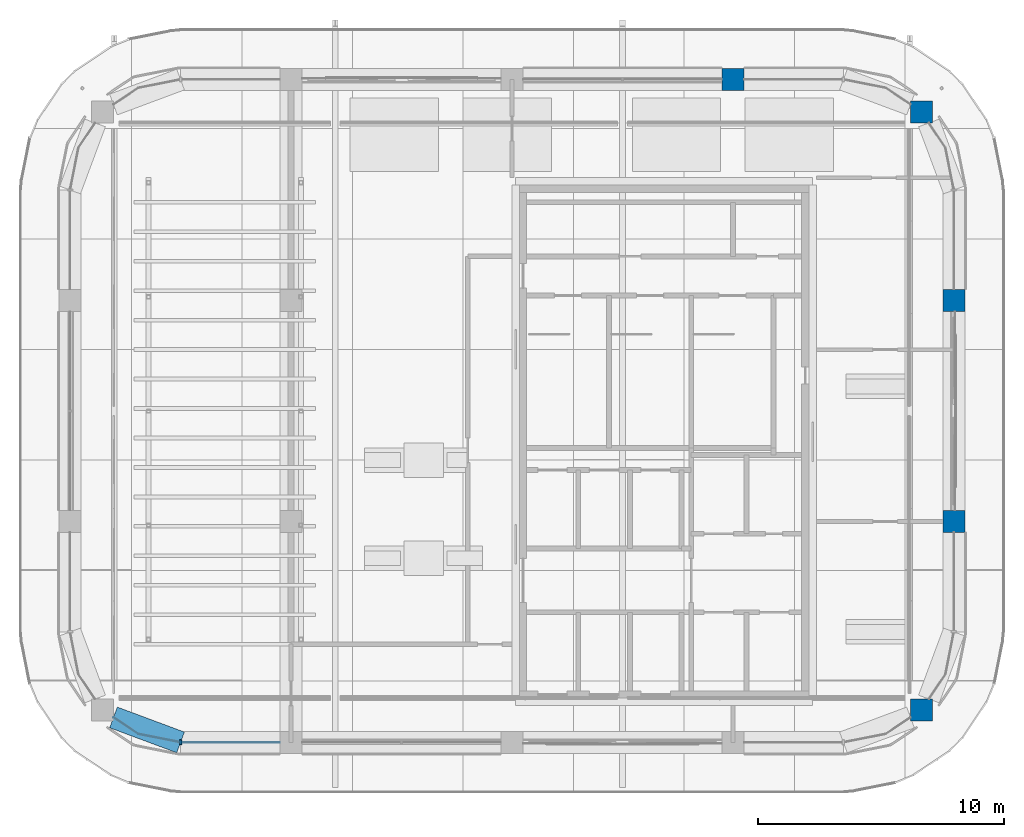
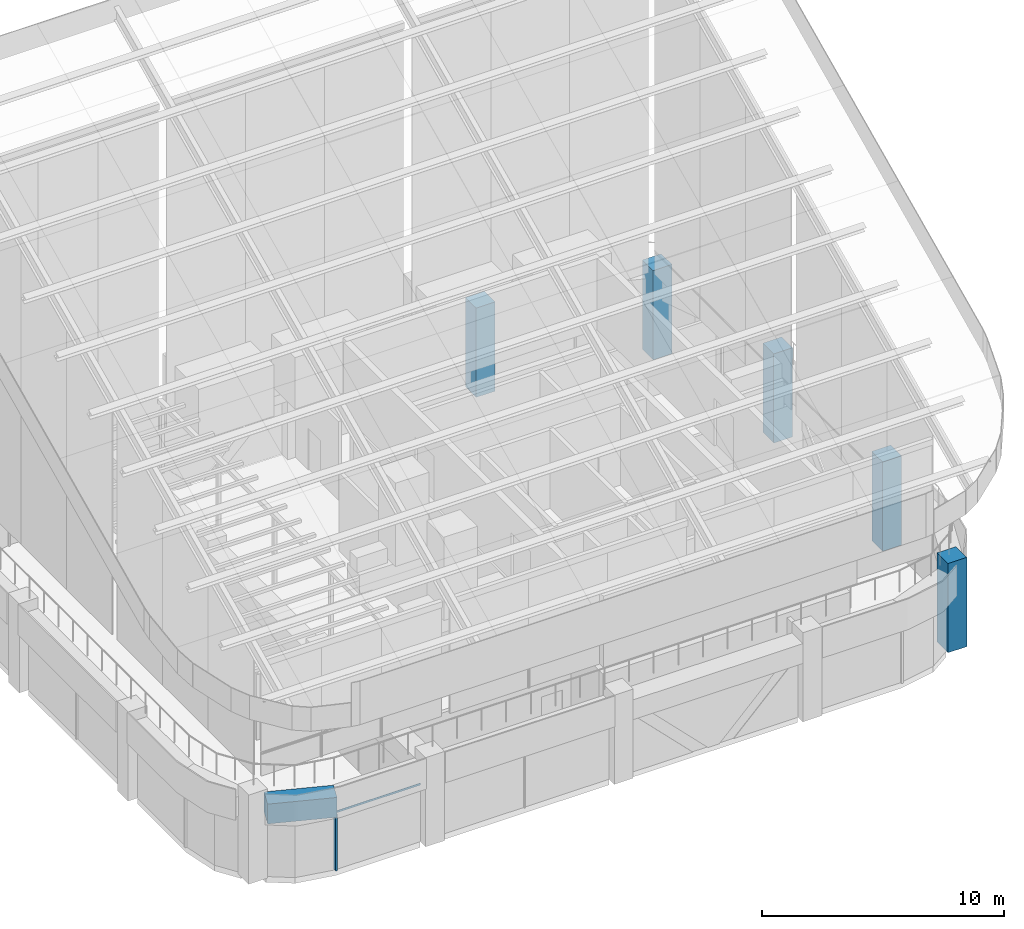
# One storey, part 4 of 31: 5 columns, 2 members, 1 beam, 1 element without a shape of its own.
"""IFC4 building model written with IfcOpenShell, lengths in metres."""

from ifc_helpers import new_model, si_unit, direction, frame, origin, origin_2d, place, context, subcontext, project, spatial, polyline, rectangle, outline, extrude, material, material_profile, profile_set, type_object, element, aggregate, save


model = new_model("IFC4")

# Units and contexts
model_context = context("Model", 3, precision=1e-05, world=origin(), true_north=direction((0.0, 1.0)))
body_context = subcontext(model_context, "Body", "Model", "MODEL_VIEW")
ifc_project = project(units=[si_unit("LENGTHUNIT", "METRE"), si_unit("AREAUNIT", "SQUARE_METRE"), si_unit("VOLUMEUNIT", "CUBIC_METRE"), si_unit("PLANEANGLEUNIT", "RADIAN"), si_unit("MASSUNIT", "GRAM", prefix="KILO")], contexts=[model_context])

# Site, building, storey
site_placement = place(None, origin())
site = spatial("IfcSite", under=ifc_project, at=site_placement, CompositionType="ELEMENT")
building_placement = place(site_placement, origin())
building = spatial("IfcBuilding", under=site, at=building_placement, Name="Tessera Arch", CompositionType="ELEMENT")
storey_placement = place(building_placement, frame((0.0, 0.0, 320.699951171875)))
storey = spatial("IfcBuildingStorey", under=building, at=storey_placement, Name="L77", CompositionType="ELEMENT", Elevation=320.699951171875)

# Columns
ifc_material_1 = material(Name="Concrete C50/60", Category="concrete")
ifc_material_profile_1 = material_profile(ifc_material_1, rectangle(XDim=0.89990234375, YDim=0.89990234375, at=origin_2d()), Name="RC column 900 x 900 Concrete C50/60")
ifc_profile_set_1 = profile_set([ifc_material_profile_1], Name="Concrete C50/60")
column_type = type_object("IfcColumnType", Name="RC column 900 x 900 Concrete C50/60", PredefinedType="COLUMN", material=ifc_profile_set_1)
for number, where, z_axis, x_axis, name in (
    (1, (45.0, 54.0, 0.0), (0.0, 0.0, 1.0), (1.0, 0.0, 0.0), "Column C6G L77"),
    (2, (52.681884765625, 28.318115234375, 0.0), (0.0, 0.0, 1.0), (1.0, 0.0, 0.0), "Column C7D L77"),
    (3, (54.0, 36.0, 0.0), (0.0, 0.0, 1.0), (1.0, 0.0, 0.0), "Column C7E L77"),
    (4, (54.0, 45.0, 0.0), (0.0, 0.0, 1.0), (1.0, 0.0, 0.0), "Column C7F L77"),
    (5, (52.681884765625, 52.681884765625, 0.0), (0.0, 0.0, 1.0), (1.0, 0.0, 0.0), "Column C7G L77"),
):
    element("IfcColumn", number, at=place(storey_placement, frame(where, z_axis=z_axis, x_axis=x_axis)), inside=storey, type_object=column_type, Name=name, PredefinedType="COLUMN", context=body_context, shape_type="SweptSolid", body=[
        extrude(rectangle(XDim=0.89990234375, YDim=0.89990234375, at=origin_2d()), origin(), (0.0, 0.0, 1.0), 4.5),
    ])

# Curtain wall, members
ifc_material_2 = material(Name="CW2 curtain wall")
curtain_wall_type = type_object("IfcCurtainWallType", Name="CW2 curtain wall", PredefinedType="NOTDEFINED", material=ifc_material_2)
curtain_wall_placement = place(storey_placement, origin())
curtain_wall = element("IfcCurtainWall", 6, at=curtain_wall_placement, inside=storey, type_object=curtain_wall_type, Name="CW2 curtain wall S27.18/0 L77", PredefinedType="NOTDEFINED")
ifc_material_3 = material(Name="Anodised aluminium pale metal", Category="aluminium")
ifc_material_profile_2 = material_profile(ifc_material_3, rectangle(XDim=0.199951171875, YDim=0.080078125, at=origin_2d()), Name="AL 80x200")
ifc_profile_set_2 = profile_set([ifc_material_profile_2], Name="Anodised aluminium pale metal")
member_type_1 = type_object("IfcMemberType", Name="CW2 mullion", PredefinedType="MULLION", material=ifc_profile_set_2)
member_1_placement = place(storey_placement, frame((22.5, 27.0, 0.0), z_axis=(0.0, 0.0, 1.0), x_axis=(0.0, 1.0, 0.0)))
member_1 = element("IfcMember", 7, at=member_1_placement, type_object=member_type_1, Name="CW2 mullion S27.18/0 1", PredefinedType="MULLION", context=body_context, shape_type="SweptSolid", body=[
    extrude(rectangle(XDim=0.199951171875, YDim=0.080078125, at=origin_2d()), origin(), (0.0, 0.0, 1.0), 2.85009765625),
])
ifc_material_4 = material(Name="Anodised aluminium pale metal", Category="aluminium")
ifc_material_profile_3 = material_profile(ifc_material_4, rectangle(XDim=0.199951171875, YDim=0.10009765625, at=origin_2d()), Name="AL 200x100")
ifc_profile_set_3 = profile_set([ifc_material_profile_3], Name="Anodised aluminium pale metal")
member_type_2 = type_object("IfcMemberType", Name="CW2 transom", PredefinedType="USERDEFINED", material=ifc_profile_set_3)
member_2_placement = place(storey_placement, frame((0.0, 0.0, 2.85009765625)))
member_2 = element("IfcMember", 8, at=member_2_placement, type_object=member_type_2, Name="CW2 transom S27.18/0 1", ObjectType="TRANSOM", PredefinedType="USERDEFINED", context=body_context, shape_type="SweptSolid", body=[
    extrude(outline(polyline([(20.78173828125, 27.351806640625), (19.7734375, 28.025634765625), (19.762451171875, 28.009033203125), (20.77392578125, 27.3330078125), (22.4990234375, 26.989990234375), (26.550048828125, 26.989990234375), (26.550048828125, 27.010009765625), (22.5009765625, 27.010009765625), (20.78173828125, 27.351806640625)])), origin(), (0.0, 0.0, 1.0), 0.099853515625),
])
aggregate(curtain_wall, [member_1, member_2])

# Beam
ifc_material_5 = material(Name="Concrete C50/60", Category="concrete")
ifc_material_profile_4 = material_profile(ifc_material_5, rectangle(XDim=0.89990234375, YDim=1.0, at=origin_2d()), Name="RC spandrel beam 900 x 1000 Concrete C50/60")
ifc_profile_set_4 = profile_set([ifc_material_profile_4], Name="Concrete C50/60")
beam_type = type_object("IfcBeamType", Name="RC spandrel beam 900 x 1000 Concrete C50/60", PredefinedType="BEAM", material=ifc_profile_set_4)
beam_placement = place(storey_placement, frame((19.76806640625, 28.017333984375, 3.449951171875), z_axis=(0.937132065211, -0.348974916509, 0.0), x_axis=(0.348974916509, 0.937132065211, 0.0)))
element("IfcBeam", 9, at=beam_placement, inside=storey, type_object=beam_type, Name="Spandrel beam L77 S27.18/0.1", PredefinedType="BEAM", context=body_context, shape_type="SweptSolid", body=[
    extrude(rectangle(XDim=0.89990234375, YDim=1.0, at=origin_2d()), origin(), (0.0, 0.0, 1.0), 2.915283203125),
])

save(model, "model.ifc")
